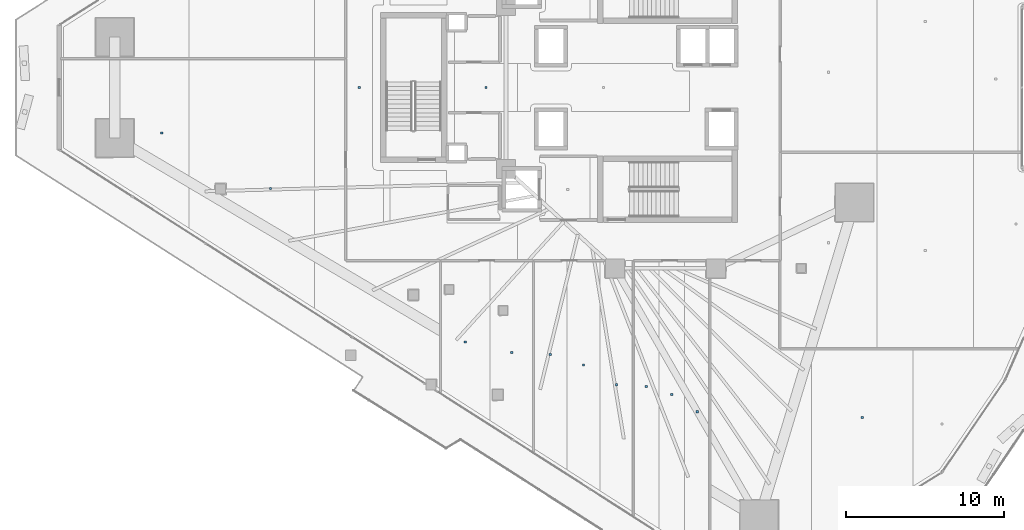
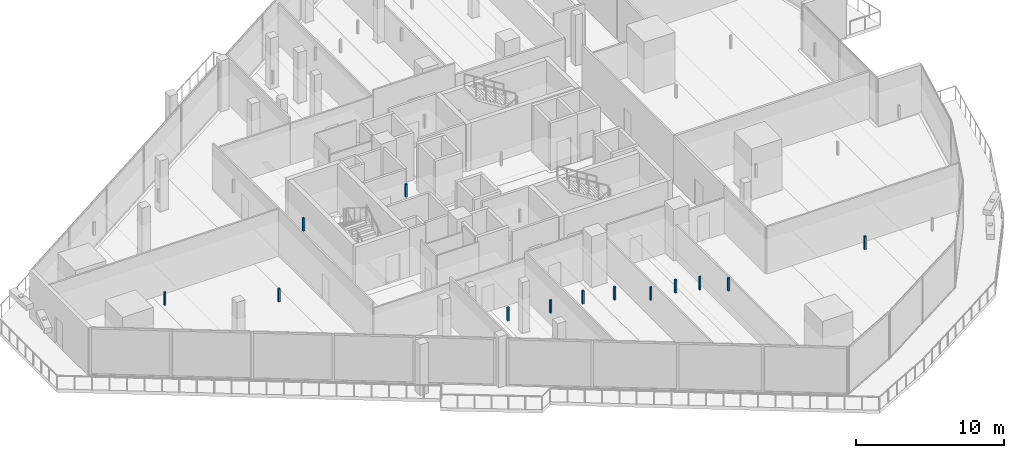
# One storey, part 32 of 45: 13 discrete accessories.
"""IFC4 building model written with IfcOpenShell, lengths in metres."""

from ifc_helpers import new_model, si_unit, direction, frame, origin, origin_2d, place, context, subcontext, project, spatial, rectangle, extrude, material, type_object, element, save


model = new_model("IFC4")

# Units and contexts
model_context = context("Model", 3, precision=1e-05, world=origin(), true_north=direction((0.0, 1.0)))
body_context = subcontext(model_context, "Body", "Model", "MODEL_VIEW")
ifc_project = project(units=[si_unit("LENGTHUNIT", "METRE"), si_unit("AREAUNIT", "SQUARE_METRE"), si_unit("VOLUMEUNIT", "CUBIC_METRE"), si_unit("PLANEANGLEUNIT", "RADIAN"), si_unit("MASSUNIT", "GRAM", prefix="KILO")], contexts=[model_context])

# Site, building, storey
site_placement = place(None, origin())
site = spatial("IfcSite", under=ifc_project, at=site_placement, CompositionType="ELEMENT")
building_placement = place(site_placement, origin())
building = spatial("IfcBuilding", under=site, at=building_placement, Name="Qorvath Tower", CompositionType="ELEMENT")
storey_placement = place(building_placement, frame((0.0, 0.0, 91.199951171875)))
storey = spatial("IfcBuildingStorey", under=building, at=storey_placement, Name="L20", CompositionType="ELEMENT", Elevation=91.199951171875)

# Discrete accessories
ifc_material = material(Name="Galvanised steel bracket", Category="steel")
discrete_accessory_type = type_object("IfcDiscreteAccessoryType", Name="DA-BRACKET", PredefinedType="BRACKET", material=ifc_material)
for number, where, z_axis, x_axis, name in (
    (1, (-39.797607421875, 0.0, 2.85986328125), (0.0, 0.0, 1.0), (1.0, 0.0, 0.0), "Acoustic Ceiling Suspension Hanger T1-L20-007"),
    (2, (-31.762451171875, 0.0, 2.85986328125), (0.0, 0.0, 1.0), (1.0, 0.0, 0.0), "Acoustic Ceiling Suspension Hanger T1-L20-008"),
    (3, (-33.078857421875, -16.108154296875, 2.85986328125), (0.0, 0.0, 1.0), (1.0, 0.0, 0.0), "Acoustic Ceiling Suspension Hanger T1-L20-018"),
    (4, (-30.138671875, -16.776123046875, 2.85986328125), (0.0, 0.0, 1.0), (1.0, 0.0, 0.0), "Acoustic Ceiling Suspension Hanger T1-L20-019"),
    (5, (-27.696533203125, -16.910888671875, 2.85986328125), (0.0, 0.0, 1.0), (1.0, 0.0, 0.0), "Acoustic Ceiling Suspension Hanger T1-L20-020"),
    (6, (-25.596435546875, -17.58203125, 2.85986328125), (0.0, 0.0, 1.0), (1.0, 0.0, 0.0), "Acoustic Ceiling Suspension Hanger T1-L20-021"),
    (7, (-23.496337890625, -18.82666015625, 2.85986328125), (0.0, 0.0, 1.0), (1.0, 0.0, 0.0), "Acoustic Ceiling Suspension Hanger T1-L20-022"),
    (8, (-21.621337890625, -18.929931640625, 2.85986328125), (0.0, 0.0, 1.0), (1.0, 0.0, 0.0), "Acoustic Ceiling Suspension Hanger T1-L20-023"),
    (9, (-20.00732421875, -19.44580078125, 2.85986328125), (0.0, 0.0, 1.0), (1.0, 0.0, 0.0), "Acoustic Ceiling Suspension Hanger T1-L20-024"),
    (10, (-18.3935546875, -20.534912109375, 2.85986328125), (0.0, 0.0, 1.0), (1.0, 0.0, 0.0), "Acoustic Ceiling Suspension Hanger T1-L20-025"),
    (11, (-7.931884765625, -20.90185546875, 2.85986328125), (0.0, 0.0, 1.0), (1.0, 0.0, 0.0), "Acoustic Ceiling Suspension Hanger T1-L20-027"),
    (12, (-52.31005859375, -2.885009765625, 2.85986328125), (0.0, 0.0, 1.0), (1.0, 0.0, 0.0), "Acoustic Ceiling Suspension Hanger T1-L20-038"),
    (13, (-45.416259765625, -6.4033203125, 2.85986328125), (0.0, 0.0, 1.0), (1.0, 0.0, 0.0), "Acoustic Ceiling Suspension Hanger T1-L20-039"),
):
    element("IfcDiscreteAccessory", number, at=place(storey_placement, frame(where, z_axis=z_axis, x_axis=x_axis)), inside=storey, type_object=discrete_accessory_type, Name=name, PredefinedType="NOTDEFINED", context=body_context, shape_type="SweptSolid", body=[
        extrude(rectangle(XDim=0.139892578125, YDim=0.139892578125, at=origin_2d()), origin(), (0.0, 0.0, 1.0), 1.090087890625),
    ])

save(model, "model.ifc")
